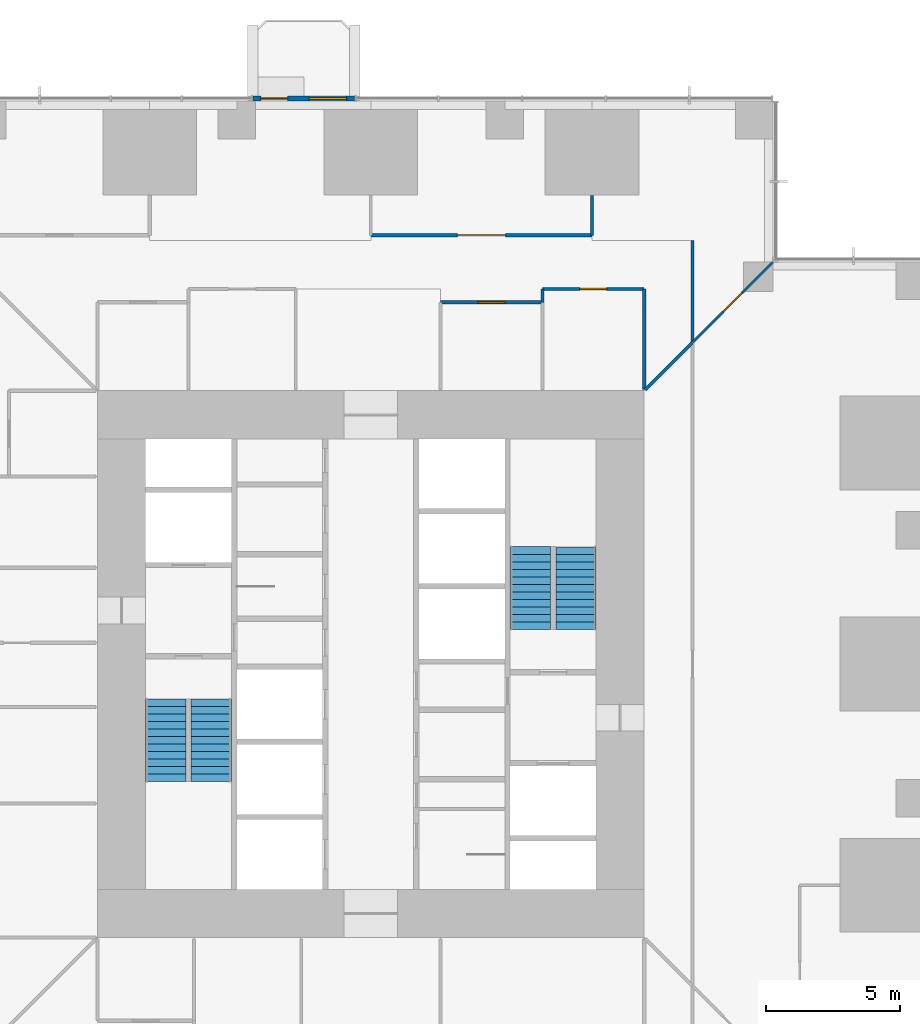
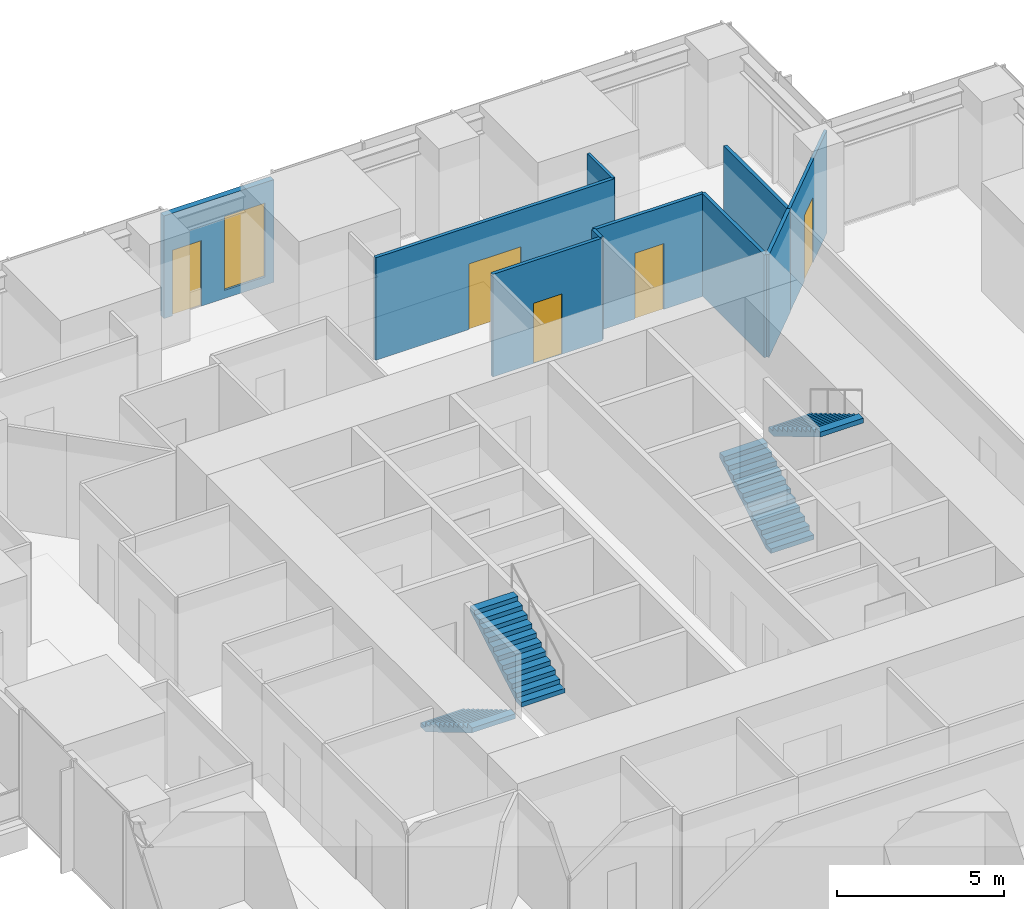
# One storey, part 12 of 15: 10 walls, 5 doors, 4 stair flights, 1 window, 6 openings, 2 elements without a shape of their own.
"""IFC4 building model written with IfcOpenShell, lengths in metres."""

from ifc_helpers import new_model, si_unit, direction, frame, frame_2d, origin, place, context, subcontext, project, spatial, polyline, rectangle, outline, extrude, material, layer, layer_set, type_object, element, fill, aggregate, save


model = new_model("IFC4")

# Units and contexts
model_context = context("Model", 3, precision=1e-05, world=origin(), true_north=direction((0.0, 1.0)))
body_context = subcontext(model_context, "Body", "Model", "MODEL_VIEW")
ifc_project = project(units=[si_unit("LENGTHUNIT", "METRE"), si_unit("AREAUNIT", "SQUARE_METRE"), si_unit("VOLUMEUNIT", "CUBIC_METRE"), si_unit("PLANEANGLEUNIT", "RADIAN"), si_unit("MASSUNIT", "GRAM", prefix="KILO")], contexts=[model_context])

# Site, building, storey
site_placement = place(None, origin())
site = spatial("IfcSite", under=ifc_project, at=site_placement, CompositionType="ELEMENT")
building_placement = place(site_placement, origin())
building = spatial("IfcBuilding", under=site, at=building_placement, Name="Svetlomir Tower", CompositionType="ELEMENT")
storey_placement = place(building_placement, frame((0.0, 0.0, 34.5)))
storey = spatial("IfcBuildingStorey", under=building, at=storey_placement, Name="L07", CompositionType="ELEMENT", Elevation=34.5)

# Wall, openings, door, window
ifc_material_1 = material(Name="Bronze anodised aluminium glazed screen", Category="aluminium")
ifc_layer_1 = layer(ifc_material_1, 0.199951171875)
ifc_layer_set_1 = layer_set([ifc_layer_1], Name="Bronze anodised aluminium glazed screen")
wall_type_1 = type_object("IfcWallType", Name="BALCONY SCREEN WALL 200", PredefinedType="USERDEFINED", material=ifc_layer_set_1)
wall_1_placement = place(storey_placement, frame((20.39990234375, 42.10009765625, 0.0), z_axis=(0.0, 0.0, 1.0), x_axis=(-1.0, 0.0, 0.0)))
wall_1 = element("IfcWall", 1, at=wall_1_placement, inside=storey, type_object=wall_type_1, Name="Balcony screen N", ObjectType="GLAZED SCREEN", PredefinedType="USERDEFINED", context=body_context, shape_type="SweptSolid", body=[
    extrude(rectangle(XDim=3.7998046875, YDim=0.199951171875, at=frame_2d((1.89990234375, 0.0))), origin(), (0.0, 0.0, 1.0), 3.75),
])
opening_1_placement = place(wall_1_placement, frame((2.5, 0.0, 0.0)))
opening_1 = element("IfcOpeningElement", 2, at=opening_1_placement, cuts=wall_1, Name="Opening BD", PredefinedType="OPENING", context=body_context, shape_type="SweptSolid", body=[
    extrude(rectangle(XDim=1.0, YDim=2.39990234375, at=frame_2d((0.5, 1.199951171875))), frame((0.0, 0.10986328125, 0.0), z_axis=(0.0, -1.0, 0.0), x_axis=(1.0, 0.0, 0.0)), (0.0, 0.0, 1.0), 0.219970703125),
])
opening_2_placement = place(wall_1_placement, frame((0.300048828125, 0.0, 0.300048828125)))
opening_2 = element("IfcOpeningElement", 3, at=opening_2_placement, cuts=wall_1, Name="Opening WS2", PredefinedType="OPENING", context=body_context, shape_type="SweptSolid", body=[
    extrude(rectangle(XDim=1.39990234375, YDim=2.699951171875, at=frame_2d((0.699951171875, 1.35009765625))), frame((0.0, 0.10986328125, 0.0), z_axis=(0.0, -1.0, 0.0), x_axis=(1.0, 0.0, 0.0)), (0.0, 0.0, 1.0), 0.219970703125),
])
ifc_material_2 = material(Name="Bronze anodised aluminium glazed door", Category="aluminium")
door_type_1 = type_object("IfcDoorType", Name="BALCONY DOOR BD 1000x2400", OperationType="SINGLE_SWING_LEFT", PredefinedType="DOOR", material=ifc_material_2)
door_1_placement = place(opening_1_placement, origin())
door_1 = element("IfcDoor", 4, at=door_1_placement, inside=storey, type_object=door_type_1, Name="Balcony screen N door", OperationType="SINGLE_SWING_LEFT", OverallHeight=2.39990234375, OverallWidth=1.0, PredefinedType="DOOR", context=body_context, shape_type="SweptSolid", body=[
    extrude(rectangle(XDim=1.0, YDim=2.39990234375, at=frame_2d((0.5, 1.199951171875))), frame((0.0, 0.02490234375, 0.0), z_axis=(0.0, -1.0, 0.0), x_axis=(1.0, 0.0, 0.0)), (0.0, 0.0, 1.0), 0.050048828125),
])
fill(opening_1, door_1)
ifc_material_3 = material(Name="Bronze anodised aluminium window", Category="aluminium")
window_type = type_object("IfcWindowType", Name="SCREEN WINDOW WS2 1400x2700", PartitioningType="SINGLE_PANEL", PredefinedType="WINDOW", material=ifc_material_3)
window_placement = place(opening_2_placement, origin())
window = element("IfcWindow", 5, at=window_placement, inside=storey, type_object=window_type, Name="Balcony screen N window 1", OverallHeight=2.699951171875, OverallWidth=1.39990234375, PartitioningType="SINGLE_PANEL", PredefinedType="WINDOW", context=body_context, shape_type="SweptSolid", body=[
    extrude(rectangle(XDim=1.39990234375, YDim=2.699951171875, at=frame_2d((0.699951171875, 1.35009765625))), frame((0.0, 0.030029296875, 0.0), z_axis=(0.0, -1.0, 0.0), x_axis=(1.0, 0.0, 0.0)), (0.0, 0.0, 1.0), 0.06005859375),
])
fill(opening_2, window)

# Wall
ifc_material_4 = material(Name="Framed laminated glass partition", Category="glass")
ifc_layer_2 = layer(ifc_material_4, 0.10009765625)
ifc_layer_set_2 = layer_set([ifc_layer_2], Name="Framed laminated glass partition")
wall_type_2 = type_object("IfcWallType", Name="GLAZED PARTITION 100", PredefinedType="PARTITIONING", material=ifc_layer_set_2)
wall_2_placement = place(storey_placement, frame((29.25, 37.0, 0.0), z_axis=(0.0, 0.0, 1.0), x_axis=(0.0, 1.0, 0.0)))
element("IfcWall", 6, at=wall_2_placement, inside=storey, type_object=wall_type_2, Name="Glazed partition L07", PredefinedType="PARTITIONING", context=body_context, shape_type="SweptSolid", body=[
    extrude(rectangle(XDim=1.489990234375, YDim=0.10009765625, at=frame_2d((0.7451171875, 0.0))), origin(), (0.0, 0.0, 1.0), 3.75),
])

# Wall, opening, door
wall_3_placement = place(storey_placement, frame((33.0, 33.0, 0.0), z_axis=(0.0, 0.0, 1.0), x_axis=(0.707106781187, 0.707106781187, 0.0)))
wall_3 = element("IfcWall", 7, at=wall_3_placement, inside=storey, type_object=wall_type_2, Name="Glazed screen L07", PredefinedType="PARTITIONING", context=body_context, shape_type="SweptSolid", body=[
    extrude(rectangle(XDim=4.24267578125, YDim=0.10009765625, at=frame_2d((2.121337890625, 0.0))), origin(), (0.0, 0.0, 1.0), 3.75),
])
opening_3_placement = place(wall_3_placement, frame((1.621337890625, 0.0, 0.0)))
opening_3 = element("IfcOpeningElement", 8, at=opening_3_placement, cuts=wall_3, Name="Opening DG", PredefinedType="OPENING", context=body_context, shape_type="SweptSolid", body=[
    extrude(rectangle(XDim=1.0, YDim=2.39990234375, at=frame_2d((0.5, 1.199951171875))), frame((0.0, 0.06005859375, 0.0), z_axis=(0.0, -1.0, 0.0), x_axis=(1.0, 0.0, 0.0)), (0.0, 0.0, 1.0), 0.1201171875),
])
ifc_material_5 = material(Name="Framed laminated glass door", Category="glass")
door_type_2 = type_object("IfcDoorType", Name="GLAZED DOOR DG 1000x2400", OperationType="SINGLE_SWING_LEFT", PredefinedType="DOOR", material=ifc_material_5)
door_2_placement = place(opening_3_placement, origin())
door_2 = element("IfcDoor", 9, at=door_2_placement, inside=storey, type_object=door_type_2, Name="Glazed screen door L07", OperationType="SINGLE_SWING_RIGHT", OverallHeight=2.39990234375, OverallWidth=1.0, PredefinedType="DOOR", context=body_context, shape_type="SweptSolid", body=[
    extrude(rectangle(XDim=1.0, YDim=2.39990234375, at=frame_2d((0.5, 1.199951171875))), frame((0.0, 0.02490234375, 0.0), z_axis=(0.0, -1.0, 0.0), x_axis=(1.0, 0.0, 0.0)), (0.0, 0.0, 1.0), 0.050048828125),
])
fill(opening_3, door_2)

ifc_material_6 = material(Name="Gypsum board on steel studs", Category="steel")
ifc_layer_3 = layer(ifc_material_6, 0.1201171875)
ifc_layer_set_3 = layer_set([ifc_layer_3], Name="Gypsum board on steel studs")
wall_type_3 = type_object("IfcWallType", Name="PARTITION 120", PredefinedType="PARTITIONING", material=ifc_layer_set_3)
wall_4_placement = place(storey_placement, frame((21.0, 37.0, 0.0), z_axis=(0.0, 0.0, 1.0), x_axis=(1.0, 0.0, 0.0)))
wall_4 = element("IfcWall", 10, at=wall_4_placement, inside=storey, type_object=wall_type_3, Name="Partition L07", PredefinedType="PARTITIONING", context=body_context, shape_type="SweptSolid", body=[
    extrude(rectangle(XDim=8.25, YDim=0.1201171875, at=frame_2d((4.125, 0.0))), origin(), (0.0, 0.0, 1.0), 3.75),
])
opening_4_placement = place(wall_4_placement, frame((3.22509765625, 0.0, 0.0)))
opening_4 = element("IfcOpeningElement", 11, at=opening_4_placement, cuts=wall_4, Name="Opening DD", PredefinedType="OPENING", context=body_context, shape_type="SweptSolid", body=[
    extrude(rectangle(XDim=1.800048828125, YDim=2.39990234375, at=frame_2d((0.89990234375, 1.199951171875))), frame((0.0, 0.070068359375, 0.0), z_axis=(0.0, -1.0, 0.0), x_axis=(1.0, 0.0, 0.0)), (0.0, 0.0, 1.0), 0.14013671875),
])
ifc_material_7 = material(Name="Timber door", Category="wood")
door_type_3 = type_object("IfcDoorType", Name="DOOR DD 1800x2400", OperationType="DOUBLE_DOOR_SINGLE_SWING", PredefinedType="DOOR", material=ifc_material_7)
door_3_placement = place(opening_4_placement, origin())
door_3 = element("IfcDoor", 12, at=door_3_placement, inside=storey, type_object=door_type_3, Name="Treasury committee room, 16 seats door L07", OperationType="DOUBLE_DOOR_SINGLE_SWING", OverallHeight=2.39990234375, OverallWidth=1.800048828125, PredefinedType="DOOR", context=body_context, shape_type="SweptSolid", body=[
    extrude(rectangle(XDim=1.800048828125, YDim=2.39990234375, at=frame_2d((0.89990234375, 1.199951171875))), frame((0.0, 0.02490234375, 0.0), z_axis=(0.0, -1.0, 0.0), x_axis=(1.0, 0.0, 0.0)), (0.0, 0.0, 1.0), 0.050048828125),
])
fill(opening_4, door_3)

wall_5_placement = place(storey_placement, frame((23.60009765625, 34.5, 0.0), z_axis=(0.0, 0.0, 1.0), x_axis=(1.0, 0.0, 0.0)))
wall_5 = element("IfcWall", 13, at=wall_5_placement, inside=storey, type_object=wall_type_3, Name="Partition L07", PredefinedType="PARTITIONING", context=body_context, shape_type="SweptSolid", body=[
    extrude(rectangle(XDim=3.7998046875, YDim=0.1201171875, at=frame_2d((1.89990234375, 0.0))), origin(), (0.0, 0.0, 1.0), 3.75),
])
opening_5_placement = place(wall_5_placement, frame((1.39990234375, 0.0, 0.0)))
opening_5 = element("IfcOpeningElement", 14, at=opening_5_placement, cuts=wall_5, Name="Opening DR", PredefinedType="OPENING", context=body_context, shape_type="SweptSolid", body=[
    extrude(rectangle(XDim=1.0, YDim=2.199951171875, at=frame_2d((0.5, 1.10009765625))), frame((0.0, 0.070068359375, 0.0), z_axis=(0.0, -1.0, 0.0), x_axis=(1.0, 0.0, 0.0)), (0.0, 0.0, 1.0), 0.14013671875),
])
ifc_material_8 = material(Name="Timber door, glazed side light", Category="wood")
door_type_4 = type_object("IfcDoorType", Name="DOOR DR 1000x2200", OperationType="SINGLE_SWING_LEFT", PredefinedType="DOOR", material=ifc_material_8)
door_4_placement = place(opening_5_placement, origin())
door_4 = element("IfcDoor", 15, at=door_4_placement, inside=storey, type_object=door_type_4, Name="Dealers' locker room door L07", OperationType="SINGLE_SWING_LEFT", OverallHeight=2.199951171875, OverallWidth=1.0, PredefinedType="DOOR", context=body_context, shape_type="SweptSolid", body=[
    extrude(rectangle(XDim=1.0, YDim=2.199951171875, at=frame_2d((0.5, 1.10009765625))), frame((0.0, 0.02490234375, 0.0), z_axis=(0.0, -1.0, 0.0), x_axis=(1.0, 0.0, 0.0)), (0.0, 0.0, 1.0), 0.050048828125),
])
fill(opening_5, door_4)

# Wall
wall_6_placement = place(storey_placement, frame((27.39990234375, 34.5, 0.0), z_axis=(0.0, 0.0, 1.0), x_axis=(0.0, 1.0, 0.0)))
element("IfcWall", 16, at=wall_6_placement, inside=storey, type_object=wall_type_3, Name="Partition L07", PredefinedType="PARTITIONING", context=body_context, shape_type="SweptSolid", body=[
    extrude(rectangle(XDim=0.5, YDim=0.1201171875, at=frame_2d((0.25, 0.0))), origin(), (0.0, 0.0, 1.0), 3.75),
])

# Wall, opening, door
wall_7_placement = place(storey_placement, frame((27.39990234375, 35.0, 0.0), z_axis=(0.0, 0.0, 1.0), x_axis=(1.0, 0.0, 0.0)))
wall_7 = element("IfcWall", 17, at=wall_7_placement, inside=storey, type_object=wall_type_3, Name="Partition L07", PredefinedType="PARTITIONING", context=body_context, shape_type="SweptSolid", body=[
    extrude(rectangle(XDim=3.800048828125, YDim=0.1201171875, at=frame_2d((1.89990234375, 0.0))), origin(), (0.0, 0.0, 1.0), 3.75),
])
opening_6_placement = place(wall_7_placement, frame((1.39990234375, 0.0, 0.0)))
opening_6 = element("IfcOpeningElement", 18, at=opening_6_placement, cuts=wall_7, Name="Opening DG", PredefinedType="OPENING", context=body_context, shape_type="SweptSolid", body=[
    extrude(rectangle(XDim=1.0, YDim=2.39990234375, at=frame_2d((0.5, 1.199951171875))), frame((0.0, 0.070068359375, 0.0), z_axis=(0.0, -1.0, 0.0), x_axis=(1.0, 0.0, 0.0)), (0.0, 0.0, 1.0), 0.14013671875),
])
door_5_placement = place(opening_6_placement, origin())
door_5 = element("IfcDoor", 19, at=door_5_placement, inside=storey, type_object=door_type_2, Name="Focus room door L07", OperationType="SINGLE_SWING_LEFT", OverallHeight=2.39990234375, OverallWidth=1.0, PredefinedType="DOOR", context=body_context, shape_type="SweptSolid", body=[
    extrude(rectangle(XDim=1.0, YDim=2.39990234375, at=frame_2d((0.5, 1.199951171875))), frame((0.0, 0.02490234375, 0.0), z_axis=(0.0, -1.0, 0.0), x_axis=(1.0, 0.0, 0.0)), (0.0, 0.0, 1.0), 0.050048828125),
])
fill(opening_6, door_5)

# Walls
wall_8_placement = place(storey_placement, frame((31.199951171875, 31.25, 0.0), z_axis=(0.0, 0.0, 1.0), x_axis=(0.0, 1.0, 0.0)))
element("IfcWall", 20, at=wall_8_placement, inside=storey, type_object=wall_type_3, Name="Partition L07", PredefinedType="PARTITIONING", context=body_context, shape_type="SweptSolid", body=[
    extrude(rectangle(XDim=3.75, YDim=0.1201171875, at=frame_2d((1.875, 0.0))), origin(), (0.0, 0.0, 1.0), 3.75),
])
wall_9_placement = place(storey_placement, frame((31.2353515625, 31.2353515625, 0.0), z_axis=(0.0, 0.0, 1.0), x_axis=(0.707106781187, 0.707106781187, 0.0)))
element("IfcWall", 21, at=wall_9_placement, inside=storey, type_object=wall_type_3, Name="Partition L07", PredefinedType="PARTITIONING", context=body_context, shape_type="SweptSolid", body=[
    extrude(rectangle(XDim=2.4814453125, YDim=0.1201171875, at=frame_2d((1.24072265625, 0.0))), origin(), (0.0, 0.0, 1.0), 3.75),
])
wall_10_placement = place(storey_placement, frame((33.0, 33.010009765625, 0.0), z_axis=(0.0, 0.0, 1.0), x_axis=(0.0, 1.0, 0.0)))
element("IfcWall", 22, at=wall_10_placement, inside=storey, type_object=wall_type_3, Name="Partition L07", PredefinedType="PARTITIONING", context=body_context, shape_type="SweptSolid", body=[
    extrude(rectangle(XDim=3.7900390625, YDim=0.1201171875, at=frame_2d((1.89501953125, 0.0))), origin(), (0.0, 0.0, 1.0), 3.75),
])

# Stair, stair flights
ifc_material_9 = material(Name="Concrete C60/75", Category="concrete")
stair_type = type_object("IfcStairType", Name="EXIT STAIR 3200 RISE 4000", PredefinedType="HALF_TURN_STAIR", material=ifc_material_9)
stair_1_placement = place(storey_placement, origin())
stair_1 = element("IfcStair", 23, at=stair_1_placement, inside=storey, type_object=stair_type, Name="Stair S1 L07 to L08", PredefinedType="HALF_TURN_STAIR")
ifc_material_10 = material(Name="Concrete C60/75", Category="concrete")
stair_flight_type = type_object("IfcStairFlightType", Name="STAIR FLIGHT 1500 OF 12 RISERS", PredefinedType="STRAIGHT", material=ifc_material_10)
stair_flight_1_placement = place(storey_placement, frame((13.35009765625, 19.699951171875, 0.0), z_axis=(0.0, 0.0, 1.0), x_axis=(0.0, -1.0, 0.0)))
stair_flight_1 = element("IfcStairFlight", 24, at=stair_flight_1_placement, type_object=stair_flight_type, Name="S1 flight 1", NumberOfRisers=12, NumberOfTreads=11, PredefinedType="STRAIGHT", RiserHeight=0.166666667, TreadLength=0.28, context=body_context, shape_type="SweptSolid", body=[
    extrude(outline(polyline([(0.0, 0.0), (0.0, 0.166748046875), (0.280029296875, 0.166748046875), (0.280029296875, 0.333251953125), (0.56005859375, 0.333251953125), (0.56005859375, 0.5), (0.840087890625, 0.5), (0.840087890625, 0.666748046875), (1.1201171875, 0.666748046875), (1.1201171875, 0.833251953125), (1.39990234375, 0.833251953125), (1.39990234375, 1.0), (1.679931640625, 1.0), (1.679931640625, 1.166748046875), (1.9599609375, 1.166748046875), (1.9599609375, 1.333251953125), (2.239990234375, 1.333251953125), (2.239990234375, 1.5), (2.52001953125, 1.5), (2.52001953125, 1.666748046875), (2.800048828125, 1.666748046875), (2.800048828125, 1.833251953125), (3.080078125, 1.833251953125), (3.080078125, 2.0), (3.080078125, 1.658935546875), (0.29296875, 0.0), (0.0, 0.0)])), frame((0.0, 0.75, 0.0), z_axis=(0.0, -1.0, 0.0), x_axis=(1.0, 0.0, 0.0)), (0.0, 0.0, 1.0), 1.5),
])
stair_flight_2_placement = place(storey_placement, frame((15.050048828125, 16.6201171875, 2.0), z_axis=(0.0, 0.0, 1.0), x_axis=(0.0, 1.0, 0.0)))
stair_flight_2 = element("IfcStairFlight", 25, at=stair_flight_2_placement, type_object=stair_flight_type, Name="S1 flight 2", NumberOfRisers=12, NumberOfTreads=11, PredefinedType="STRAIGHT", RiserHeight=0.166666667, TreadLength=0.28, context=body_context, shape_type="SweptSolid", body=[
    extrude(outline(polyline([(0.0, 0.0), (0.0, 0.166748046875), (0.280029296875, 0.166748046875), (0.280029296875, 0.333251953125), (0.56005859375, 0.333251953125), (0.56005859375, 0.5), (0.840087890625, 0.5), (0.840087890625, 0.666748046875), (1.1201171875, 0.666748046875), (1.1201171875, 0.833251953125), (1.39990234375, 0.833251953125), (1.39990234375, 1.0), (1.679931640625, 1.0), (1.679931640625, 1.166748046875), (1.9599609375, 1.166748046875), (1.9599609375, 1.333251953125), (2.239990234375, 1.333251953125), (2.239990234375, 1.5), (2.52001953125, 1.5), (2.52001953125, 1.666748046875), (2.800048828125, 1.666748046875), (2.800048828125, 1.833251953125), (3.080078125, 1.833251953125), (3.080078125, 2.0), (3.080078125, 1.658935546875), (0.29296875, 0.0), (0.0, 0.0)])), frame((0.0, 0.75, 0.0), z_axis=(0.0, -1.0, 0.0), x_axis=(1.0, 0.0, 0.0)), (0.0, 0.0, 1.0), 1.5),
])
aggregate(stair_1, [stair_flight_1, stair_flight_2])

stair_2_placement = place(storey_placement, origin())
stair_2 = element("IfcStair", 26, at=stair_2_placement, inside=storey, type_object=stair_type, Name="Stair S2 L07 to L08", PredefinedType="HALF_TURN_STAIR")
stair_flight_3_placement = place(storey_placement, frame((26.949951171875, 22.300048828125, 0.0), z_axis=(0.0, 0.0, 1.0), x_axis=(0.0, 1.0, 0.0)))
stair_flight_3 = element("IfcStairFlight", 27, at=stair_flight_3_placement, type_object=stair_flight_type, Name="S2 flight 1", NumberOfRisers=12, NumberOfTreads=11, PredefinedType="STRAIGHT", RiserHeight=0.166666667, TreadLength=0.28, context=body_context, shape_type="SweptSolid", body=[
    extrude(outline(polyline([(0.0, 0.0), (0.0, 0.166748046875), (0.280029296875, 0.166748046875), (0.280029296875, 0.333251953125), (0.56005859375, 0.333251953125), (0.56005859375, 0.5), (0.840087890625, 0.5), (0.840087890625, 0.666748046875), (1.1201171875, 0.666748046875), (1.1201171875, 0.833251953125), (1.39990234375, 0.833251953125), (1.39990234375, 1.0), (1.679931640625, 1.0), (1.679931640625, 1.166748046875), (1.9599609375, 1.166748046875), (1.9599609375, 1.333251953125), (2.239990234375, 1.333251953125), (2.239990234375, 1.5), (2.52001953125, 1.5), (2.52001953125, 1.666748046875), (2.800048828125, 1.666748046875), (2.800048828125, 1.833251953125), (3.080078125, 1.833251953125), (3.080078125, 2.0), (3.080078125, 1.658935546875), (0.29296875, 0.0), (0.0, 0.0)])), frame((0.0, 0.75, 0.0), z_axis=(0.0, -1.0, 0.0), x_axis=(1.0, 0.0, 0.0)), (0.0, 0.0, 1.0), 1.5),
])
stair_flight_4_placement = place(storey_placement, frame((28.64990234375, 25.3798828125, 2.0), z_axis=(0.0, 0.0, 1.0), x_axis=(0.0, -1.0, 0.0)))
stair_flight_4 = element("IfcStairFlight", 28, at=stair_flight_4_placement, type_object=stair_flight_type, Name="S2 flight 2", NumberOfRisers=12, NumberOfTreads=11, PredefinedType="STRAIGHT", RiserHeight=0.166666667, TreadLength=0.28, context=body_context, shape_type="SweptSolid", body=[
    extrude(outline(polyline([(0.0, 0.0), (0.0, 0.166748046875), (0.280029296875, 0.166748046875), (0.280029296875, 0.333251953125), (0.56005859375, 0.333251953125), (0.56005859375, 0.5), (0.840087890625, 0.5), (0.840087890625, 0.666748046875), (1.1201171875, 0.666748046875), (1.1201171875, 0.833251953125), (1.39990234375, 0.833251953125), (1.39990234375, 1.0), (1.679931640625, 1.0), (1.679931640625, 1.166748046875), (1.9599609375, 1.166748046875), (1.9599609375, 1.333251953125), (2.239990234375, 1.333251953125), (2.239990234375, 1.5), (2.52001953125, 1.5), (2.52001953125, 1.666748046875), (2.800048828125, 1.666748046875), (2.800048828125, 1.833251953125), (3.080078125, 1.833251953125), (3.080078125, 2.0), (3.080078125, 1.658935546875), (0.29296875, 0.0), (0.0, 0.0)])), frame((0.0, 0.75, 0.0), z_axis=(0.0, -1.0, 0.0), x_axis=(1.0, 0.0, 0.0)), (0.0, 0.0, 1.0), 1.5),
])
aggregate(stair_2, [stair_flight_3, stair_flight_4])

save(model, "model.ifc")
